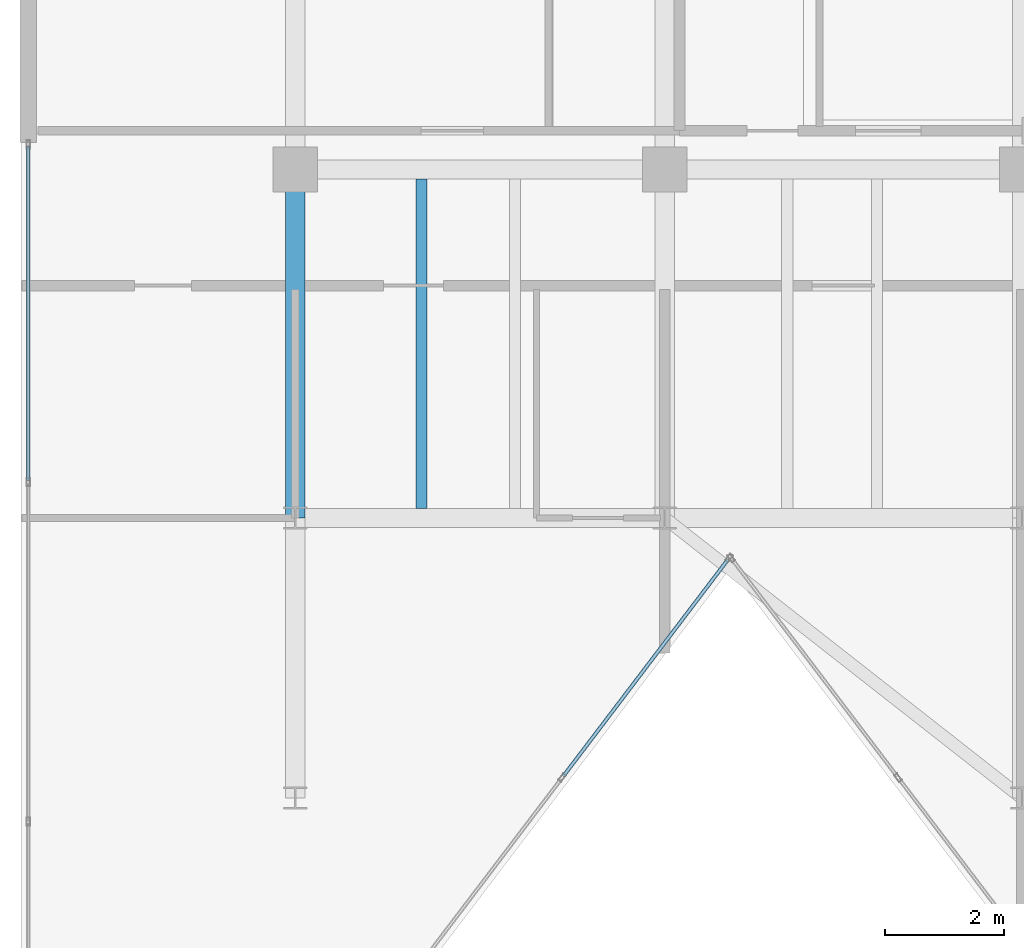
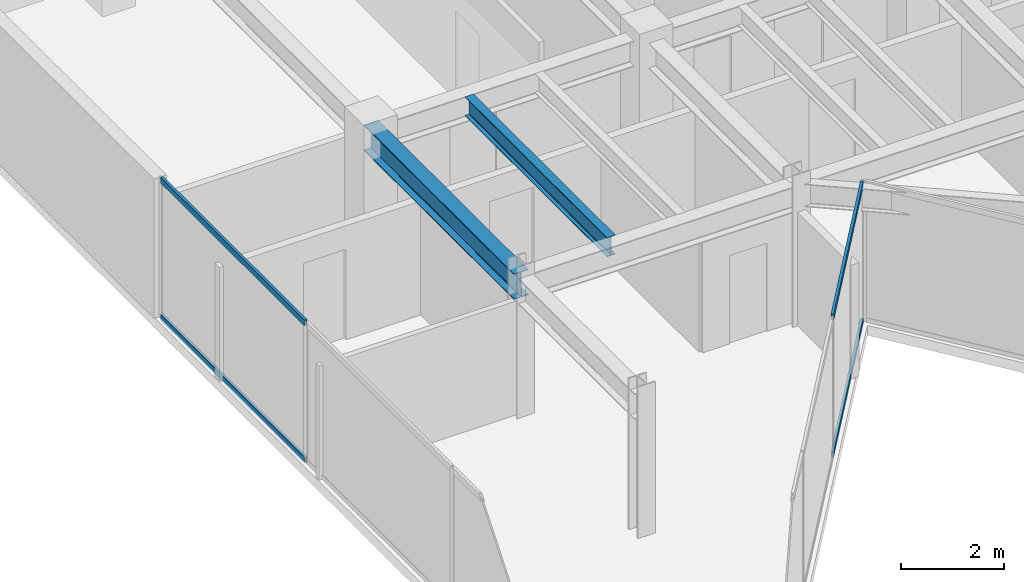
# One storey, part 5 of 16: 4 members, 2 beams, 2 elements without a shape of their own.
"""IFC4 building model written with IfcOpenShell, lengths in metres."""

from ifc_helpers import new_model, si_unit, direction, frame, origin, origin_2d, place, context, subcontext, project, spatial, hollow_rectangle, i_section, extrude, material, layer, layer_set, material_profile, profile_set, type_object, element, aggregate, save


model = new_model("IFC4")

# Units and contexts
model_context = context("Model", 3, precision=1e-05, world=origin(), true_north=direction((0.0, 1.0)))
body_context = subcontext(model_context, "Body", "Model", "MODEL_VIEW")
ifc_project = project(units=[si_unit("LENGTHUNIT", "METRE"), si_unit("AREAUNIT", "SQUARE_METRE"), si_unit("VOLUMEUNIT", "CUBIC_METRE"), si_unit("PLANEANGLEUNIT", "RADIAN"), si_unit("MASSUNIT", "GRAM", prefix="KILO")], contexts=[model_context])

# Site, building, storey
site_placement = place(None, origin())
site = spatial("IfcSite", under=ifc_project, at=site_placement, CompositionType="ELEMENT")
building_placement = place(site_placement, origin())
building = spatial("IfcBuilding", under=site, at=building_placement, Name="Kravanh Interchange Tower", CompositionType="ELEMENT")
storey_placement = place(building_placement, frame((0.0, 0.0, 307.5)))
storey = spatial("IfcBuildingStorey", under=building, at=storey_placement, Name="L76", CompositionType="ELEMENT", Elevation=307.5)

# Curtain wall, members
ifc_material_1 = material(Name="Anodised Bronze Aluminium", Category="aluminium")
ifc_layer = layer(ifc_material_1, 0.179931640625)
ifc_layer_set = layer_set([ifc_layer], Name="Unitised Curtain Wall System CW-HTL Luxury Hotel")
curtain_wall_type = type_object("IfcCurtainWallType", Name="Unitised Curtain Wall System CW-HTL Luxury Hotel", PredefinedType="NOTDEFINED", material=ifc_layer_set)
curtain_wall_1_placement = place(storey_placement, origin())
curtain_wall_1 = element("IfcCurtainWall", 1, at=curtain_wall_1_placement, inside=storey, type_object=curtain_wall_type, Name="L76 Unitised Curtain Wall CW-L76-01", PredefinedType="NOTDEFINED")
ifc_material_2 = material(Name="Anodised Bronze Aluminium", Category="aluminium")
ifc_material_profile_1 = material_profile(ifc_material_2, hollow_rectangle(XDim=0.06005859375, YDim=0.139892578125, WallThickness=0.00390625, at=origin_2d()), Name="ALU60X140X4")
ifc_profile_set_1 = profile_set([ifc_material_profile_1], Name="Anodised Bronze Aluminium")
member_type = type_object("IfcMemberType", Name="Curtain Wall Transom ALU60X140X4 Bronze", PredefinedType="USERDEFINED", material=ifc_profile_set_1)
member_1_placement = place(storey_placement, frame((34.1201171875, 32.1298828125, 0.030029296875), z_axis=(0.0, 1.0, 0.0), x_axis=(-1.0, 0.0, 0.0)))
member_1 = element("IfcMember", 2, at=member_1_placement, type_object=member_type, Name="CW-HTL transom 3.1", ObjectType="TRANSOM", PredefinedType="USERDEFINED", context=body_context, shape_type="SweptSolid", body=[
    extrude(hollow_rectangle(XDim=0.06005859375, YDim=0.139892578125, WallThickness=0.00390625, at=origin_2d()), origin(), (0.0, 0.0, 1.0), 5.610107421875),
])
member_2_placement = place(storey_placement, frame((34.1201171875, 32.1298828125, 3.2900390625), z_axis=(0.0, 1.0, 0.0), x_axis=(-1.0, 0.0, 0.0)))
member_2 = element("IfcMember", 3, at=member_2_placement, type_object=member_type, Name="CW-HTL transom 3.2", ObjectType="TRANSOM", PredefinedType="USERDEFINED", context=body_context, shape_type="SweptSolid", body=[
    extrude(hollow_rectangle(XDim=0.06005859375, YDim=0.139892578125, WallThickness=0.00390625, at=origin_2d()), origin(), (0.0, 0.0, 1.0), 5.610107421875),
])
aggregate(curtain_wall_1, [member_1, member_2])

curtain_wall_2_placement = place(storey_placement, origin())
curtain_wall_2 = element("IfcCurtainWall", 4, at=curtain_wall_2_placement, inside=storey, type_object=curtain_wall_type, Name="L76 Unitised Curtain Wall CW-L76-05", PredefinedType="NOTDEFINED")
member_3_placement = place(storey_placement, frame((45.86376953125, 30.80322265625, 0.030029296875), z_axis=(-0.605081913085, -0.796163223502, 0.0), x_axis=(0.796163223502, -0.605081913085, 0.0)))
member_3 = element("IfcMember", 5, at=member_3_placement, type_object=member_type, Name="CW-HTL transom 1.1", ObjectType="TRANSOM", PredefinedType="USERDEFINED", context=body_context, shape_type="SweptSolid", body=[
    extrude(hollow_rectangle(XDim=0.06005859375, YDim=0.139892578125, WallThickness=0.00390625, at=origin_2d()), origin(), (0.0, 0.0, 1.0), 4.5703125),
])
member_4_placement = place(storey_placement, frame((45.86376953125, 30.80322265625, 3.2900390625), z_axis=(-0.605081913085, -0.796163223502, 0.0), x_axis=(0.796163223502, -0.605081913085, 0.0)))
member_4 = element("IfcMember", 6, at=member_4_placement, type_object=member_type, Name="CW-HTL transom 1.2", ObjectType="TRANSOM", PredefinedType="USERDEFINED", context=body_context, shape_type="SweptSolid", body=[
    extrude(hollow_rectangle(XDim=0.06005859375, YDim=0.139892578125, WallThickness=0.00390625, at=origin_2d()), origin(), (0.0, 0.0, 1.0), 4.5703125),
])
aggregate(curtain_wall_2, [member_3, member_4])

# Beams
ifc_material_3 = material(Name="Structural Steel S355", Category="steel")
ifc_material_profile_2 = material_profile(ifc_material_3, i_section(OverallWidth=0.323974609375, OverallDepth=0.611083984375, WebThickness=0.0126953125, FlangeThickness=0.01904296875, FilletRadius=0.02197265625, at=origin_2d()), Name="W24X104")
ifc_profile_set_2 = profile_set([ifc_material_profile_2], Name="Structural Steel S355")
beam_type_1 = type_object("IfcBeamType", Name="Floor Beam W24X104 Structural Steel S355", PredefinedType="BEAM", material=ifc_profile_set_2)
beam_1_placement = place(storey_placement, frame((38.60009765625, 31.5, 3.014404296875), z_axis=(0.0, 1.0, 0.0), x_axis=(-1.0, 0.0, 0.0)))
element("IfcBeam", 7, at=beam_1_placement, inside=storey, type_object=beam_type_1, Name="L76 Primary Floor Girder 18", PredefinedType="BEAM", context=body_context, shape_type="SweptSolid", body=[
    extrude(i_section(OverallWidth=0.323974609375, OverallDepth=0.611083984375, WebThickness=0.0126953125, FlangeThickness=0.01904296875, FilletRadius=0.02197265625, at=origin_2d()), origin(), (0.0, 0.0, 1.0), 5.85009765625),
])
ifc_material_4 = material(Name="Structural Steel S355", Category="steel")
ifc_material_profile_3 = material_profile(ifc_material_4, i_section(OverallWidth=0.18994140625, OverallDepth=0.45703125, WebThickness=0.009033203125, FlangeThickness=0.014404296875, FilletRadius=0.01806640625, at=origin_2d()), Name="W18X50")
ifc_profile_set_3 = profile_set([ifc_material_profile_3], Name="Structural Steel S355")
beam_type_2 = type_object("IfcBeamType", Name="Floor Joist W18X50 Structural Steel S355", PredefinedType="JOIST", material=ifc_profile_set_3)
beam_2_placement = place(storey_placement, frame((40.719970703125, 31.656982421875, 3.091552734375), z_axis=(0.0, 1.0, 0.0), x_axis=(-1.0, 0.0, 0.0)))
element("IfcBeam", 8, at=beam_2_placement, inside=storey, type_object=beam_type_2, Name="L76 Secondary Floor Joist 7", PredefinedType="JOIST", context=body_context, shape_type="SweptSolid", body=[
    extrude(i_section(OverallWidth=0.18994140625, OverallDepth=0.45703125, WebThickness=0.009033203125, FlangeThickness=0.014404296875, FilletRadius=0.01806640625, at=origin_2d()), origin(), (0.0, 0.0, 1.0), 5.5361328125),
])

save(model, "model.ifc")
